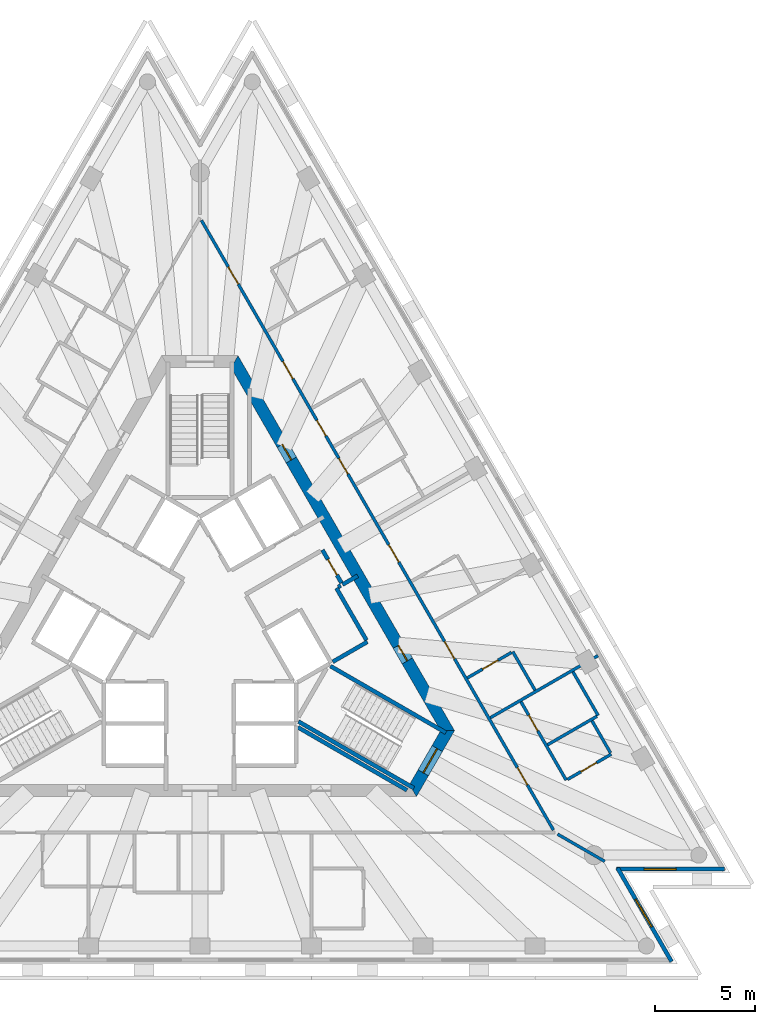
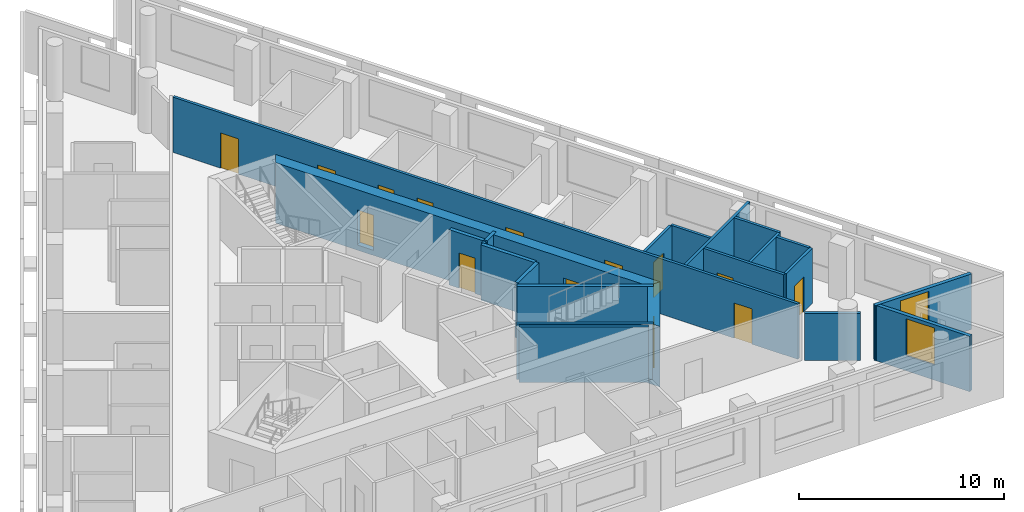
# One storey, part 6 of 10: 22 walls, 14 doors, 2 windows, 16 openings.
"""IFC4 building model written with IfcOpenShell, lengths in metres."""

from ifc_helpers import new_model, si_unit, direction, frame, frame_2d, origin, place, context, subcontext, project, spatial, polyline, rectangle, outline, extrude, material, layer, layer_set, layer_usage, type_object, element, fill, save


model = new_model("IFC4")

# Units and contexts
model_context = context("Model", 3, precision=1e-05, world=origin(), true_north=direction((0.0, 1.0)))
body_context = subcontext(model_context, "Body", "Model", "MODEL_VIEW")
ifc_project = project(units=[si_unit("LENGTHUNIT", "METRE"), si_unit("AREAUNIT", "SQUARE_METRE"), si_unit("VOLUMEUNIT", "CUBIC_METRE"), si_unit("PLANEANGLEUNIT", "RADIAN"), si_unit("MASSUNIT", "GRAM", prefix="KILO")], contexts=[model_context])

# Site, building, storey
site_placement = place(None, origin())
site = spatial("IfcSite", under=ifc_project, at=site_placement, CompositionType="ELEMENT")
building_placement = place(site_placement, origin())
building = spatial("IfcBuilding", under=site, at=building_placement, Name="Triada Interchange Tower", CompositionType="ELEMENT")
storey_placement = place(building_placement, frame((0.0, 0.0, 275.5)))
storey = spatial("IfcBuildingStorey", under=building, at=storey_placement, Name="L64", CompositionType="ELEMENT", Elevation=275.5)

# Wall
ifc_material_1 = material(Name="Concrete C30/37", Category="concrete")
ifc_layer_1 = layer(ifc_material_1, 0.199951171875)
ifc_layer_set_1 = layer_set([ifc_layer_1], Name="CORE WALL 200 EI 120")
wall_type_1 = type_object("IfcWallType", Name="CORE WALL 200 EI 120", PredefinedType="SOLIDWALL", material=ifc_layer_set_1)
wall_1_placement = place(storey_placement, frame((7.12890625, 2.153076171875, 0.0), z_axis=(0.0, 0.0, 1.0), x_axis=(0.866083962871, 0.499898558967, 0.0)))
element("IfcWall", 1, at=wall_1_placement, inside=storey, type_object=wall_type_1, Name="Wall L62 87", PredefinedType="SOLIDWALL", context=body_context, shape_type="SweptSolid", body=[
    extrude(rectangle(XDim=0.880126953125, YDim=0.199951171875, at=frame_2d((0.43994140625, 0.0))), origin(), (0.0, 0.0, 1.0), 3.300048828125),
])

# Wall, opening, door
wall_2_placement = place(storey_placement, frame((6.12890625, 3.885009765625, 0.0), z_axis=(0.0, 0.0, 1.0), x_axis=(0.499952260202, -0.866052964615, 0.0)))
wall_2 = element("IfcWall", 2, at=wall_2_placement, inside=storey, type_object=wall_type_1, Name="Wall L62 88", PredefinedType="SOLIDWALL", context=body_context, shape_type="SweptSolid", body=[
    extrude(rectangle(XDim=1.900634765625, YDim=0.199951171875, at=frame_2d((0.9501953125, 0.0))), origin(), (0.0, 0.0, 1.0), 3.300048828125),
])
opening_1_placement = place(wall_2_placement, frame((0.550048828125, 0.0, 0.0)))
opening_1 = element("IfcOpeningElement", 3, at=opening_1_placement, cuts=wall_2, Name="Opening D62-58", PredefinedType="OPENING", context=body_context, shape_type="SweptSolid", body=[
    extrude(rectangle(XDim=0.89990234375, YDim=2.10009765625, at=frame_2d((0.449951171875, 1.050048828125))), frame((0.0, 0.10986328125, 0.0), z_axis=(0.0, -1.0, 0.0), x_axis=(1.0, 0.0, 0.0)), (0.0, 0.0, 1.0), 0.219970703125),
])
ifc_material_2 = material(Name="Steel S235 door leaf", Category="steel")
door_type_1 = type_object("IfcDoorType", Name="SERVICE DOOR 900 EI2 45-C5S200", OperationType="NOTDEFINED", PredefinedType="DOOR", material=ifc_material_2)
door_1_placement = place(opening_1_placement, origin())
door_1 = element("IfcDoor", 4, at=door_1_placement, inside=storey, type_object=door_type_1, Name="Door D62-58 L64", OperationType="SINGLE_SWING_LEFT", OverallHeight=2.10009765625, OverallWidth=0.89990234375, PredefinedType="DOOR", context=body_context, shape_type="SweptSolid", body=[
    extrude(rectangle(XDim=0.89990234375, YDim=2.10009765625, at=frame_2d((0.449951171875, 1.050048828125))), frame((0.0, 0.02490234375, 0.0), z_axis=(0.0, -1.0, 0.0), x_axis=(1.0, 0.0, 0.0)), (0.0, 0.0, 1.0), 0.050048828125),
])
fill(opening_1, door_1)

# Walls
ifc_layer_2 = layer(ifc_material_1, 0.199951171875)
ifc_layer_set_2 = layer_set([ifc_layer_2], Name="CORE WALL 200 EI 90")
wall_type_2 = type_object("IfcWallType", Name="CORE WALL 200 EI 90", PredefinedType="SOLIDWALL", material=ifc_layer_set_2)
wall_3_placement = place(storey_placement, frame((4.89990234375, -4.97998046875, 0.0), z_axis=(0.0, 0.0, 1.0), x_axis=(0.866074613031, -0.499914757397, 0.0)))
element("IfcWall", 5, at=wall_3_placement, inside=storey, type_object=wall_type_2, Name="Wall L62 108", PredefinedType="SOLIDWALL", context=body_context, shape_type="SweptSolid", body=[
    extrude(rectangle(XDim=6.30078125, YDim=0.199951171875, at=frame_2d((3.150390625, 0.0))), origin(), (0.0, 0.0, 1.0), 3.300048828125),
])
wall_4_placement = place(storey_placement, frame((6.64208984375, -1.7080078125, 0.0), z_axis=(0.0, 0.0, 1.0), x_axis=(0.866043441391, 0.499968756647, 0.0)))
element("IfcWall", 6, at=wall_4_placement, inside=storey, type_object=wall_type_2, Name="Wall L62 109", PredefinedType="SOLIDWALL", context=body_context, shape_type="SweptSolid", body=[
    extrude(rectangle(XDim=2.002197265625, YDim=0.199951171875, at=frame_2d((1.0009765625, 0.0))), origin(), (0.0, 0.0, 1.0), 3.300048828125),
])
wall_5_placement = place(storey_placement, frame((6.825927734375, 1.97802734375, 0.0), z_axis=(0.0, 0.0, 1.0), x_axis=(0.499990139034, -0.866031096941, 0.0)))
element("IfcWall", 7, at=wall_5_placement, inside=storey, type_object=wall_type_2, Name="Wall L62 110", PredefinedType="SOLIDWALL", context=body_context, shape_type="SweptSolid", body=[
    extrude(rectangle(XDim=3.0, YDim=0.199951171875, at=frame_2d((1.5, 0.0))), origin(), (0.0, 0.0, 1.0), 3.300048828125),
])
wall_6_placement = place(storey_placement, frame((6.912109375, 2.028076171875, 0.0), z_axis=(0.0, 0.0, 1.0), x_axis=(0.866559367082, 0.499074005857, 0.0)))
element("IfcWall", 8, at=wall_6_placement, inside=storey, type_object=wall_type_2, Name="Wall L62 111", PredefinedType="SOLIDWALL", context=body_context, shape_type="SweptSolid", body=[
    extrude(rectangle(XDim=0.152099609375, YDim=0.199951171875, at=frame_2d((0.076171875, 0.0))), origin(), (0.0, 0.0, 1.0), 3.300048828125),
])
ifc_layer_3 = layer(ifc_material_1, 0.199951171875)
ifc_layer_set_3 = layer_set([ifc_layer_3], Name="CORE WALL 200 REI 240")
wall_type_3 = type_object("IfcWallType", Name="CORE WALL 200 REI 240", PredefinedType="SOLIDWALL", material=ifc_layer_set_3)
wall_7_placement = place(storey_placement, frame((4.928955078125, -4.693115234375, 0.0), z_axis=(0.0, 0.0, 1.0), x_axis=(0.866005022404, -0.500035299925, 0.0)))
element("IfcWall", 9, at=wall_7_placement, inside=storey, type_object=wall_type_3, Name="Wall L62 118", PredefinedType="SOLIDWALL", context=body_context, shape_type="SweptSolid", body=[
    extrude(rectangle(XDim=6.6650390625, YDim=0.199951171875, at=frame_2d((3.33251953125, 0.0))), origin(), (0.0, 0.0, 1.0), 3.300048828125),
])
wall_8_placement = place(storey_placement, frame((6.529052734375, -1.922119140625, 0.0), z_axis=(0.0, 0.0, 1.0), x_axis=(0.866068467981, -0.499925403204, 0.0)))
element("IfcWall", 10, at=wall_8_placement, inside=storey, type_object=wall_type_3, Name="Wall L62 120", PredefinedType="SOLIDWALL", context=body_context, shape_type="SweptSolid", body=[
    extrude(rectangle(XDim=6.66455078125, YDim=0.199951171875, at=frame_2d((3.332275390625, 0.0))), origin(), (0.0, 0.0, 1.0), 3.300048828125),
])

# Wall, opening, door
ifc_material_3 = material(Name="Concrete C40/50", Category="concrete")
ifc_layer_4 = layer(ifc_material_3, 0.60009765625)
ifc_layer_set_4 = layer_set([ifc_layer_4], Name="Core wall D 600")
wall_type_4 = type_object("IfcWallType", Name="Core wall D 600", PredefinedType="SHEAR", material=ifc_layer_set_4)
wall_9_placement = place(storey_placement, frame((10.652099609375, -8.14990234375, -0.300048828125), z_axis=(0.0, 0.0, 1.0), x_axis=(0.49997462182, 0.866040055388, 0.0)))
wall_9 = element("IfcWall", 11, at=wall_9_placement, inside=storey, type_object=wall_type_4, Name="Core wall WD05 L64", PredefinedType="SHEAR", context=body_context, shape_type="SweptSolid", body=[
    extrude(outline(polyline([(-0.173095703125, -0.300048828125), (1.732421875, -0.300537109375), (3.637939453125, -0.301025390625), (3.291015625, 0.300048828125), (1.73193359375, 0.300048828125), (0.173095703125, 0.300048828125), (-0.173095703125, -0.300048828125)])), origin(), (0.0, 0.0, 1.0), 3.60009765625),
])
opening_2_placement = place(wall_9_placement, frame((1.031982421875, 0.0, 0.300048828125)))
opening_2 = element("IfcOpeningElement", 12, at=opening_2_placement, cuts=wall_9, Name="Opening D62-50", PredefinedType="OPENING", context=body_context, shape_type="SweptSolid", body=[
    extrude(rectangle(XDim=1.39990234375, YDim=2.10009765625, at=frame_2d((0.699951171875, 1.050048828125))), frame((0.0, 0.31005859375, 0.0), z_axis=(0.0, -1.0, 0.0), x_axis=(1.0, 0.0, 0.0)), (0.0, 0.0, 1.0), 0.62109375),
])
door_type_2 = type_object("IfcDoorType", Name="STAIR DOOR 1400 EI2 90-C5S200", OperationType="DOUBLE_DOOR_SINGLE_SWING", PredefinedType="DOOR", material=ifc_material_2)
door_2_placement = place(opening_2_placement, origin())
door_2 = element("IfcDoor", 13, at=door_2_placement, inside=storey, type_object=door_type_2, Name="Door D62-50 L64", OperationType="DOUBLE_DOOR_SINGLE_SWING", OverallHeight=2.10009765625, OverallWidth=1.39990234375, PredefinedType="DOOR", context=body_context, shape_type="SweptSolid", body=[
    extrude(rectangle(XDim=1.39990234375, YDim=2.10009765625, at=frame_2d((0.699951171875, 1.050048828125))), frame((0.0, 0.02490234375, 0.0), z_axis=(0.0, -1.0, 0.0), x_axis=(1.0, 0.0, 0.0)), (0.0, 0.0, 1.0), 0.050048828125),
])
fill(opening_2, door_2)

# Wall, openings, doors
wall_10_placement = place(storey_placement, frame((12.384033203125, -5.14990234375, -0.300048828125), z_axis=(0.0, 0.0, 1.0), x_axis=(-0.500000539815, 0.866025092122, 0.0)))
wall_10 = element("IfcWall", 14, at=wall_10_placement, inside=storey, type_object=wall_type_4, Name="Core wall WD06 L64", PredefinedType="SHEAR", context=body_context, shape_type="SweptSolid", body=[
    extrude(outline(polyline([(-0.173095703125, -0.301025390625), (1.795166015625, -0.301025390625), (3.76318359375, -0.30078125), (5.7314453125, -0.30078125), (7.69970703125, -0.30078125), (9.66796875, -0.300537109375), (11.635986328125, -0.300537109375), (13.604248046875, -0.30029296875), (15.572509765625, -0.30029296875), (17.540771484375, -0.30029296875), (19.5087890625, -0.300048828125), (21.47705078125, -0.300048828125), (21.131103515625, 0.300048828125), (19.225830078125, 0.300048828125), (17.320556640625, 0.300048828125), (15.415283203125, 0.300048828125), (13.510009765625, 0.300048828125), (11.604736328125, 0.300048828125), (9.699462890625, 0.300048828125), (7.794189453125, 0.300048828125), (5.888916015625, 0.300048828125), (3.983642578125, 0.300048828125), (2.078369140625, 0.300048828125), (0.173095703125, 0.300048828125), (-0.173095703125, -0.301025390625)])), origin(), (0.0, 0.0, 1.0), 3.60009765625),
])
opening_3_placement = place(wall_10_placement, frame((15.626953125, 0.0, 0.300048828125)))
opening_3 = element("IfcOpeningElement", 15, at=opening_3_placement, cuts=wall_10, Name="Opening D62-55", PredefinedType="OPENING", context=body_context, shape_type="SweptSolid", body=[
    extrude(rectangle(XDim=0.89990234375, YDim=2.10009765625, at=frame_2d((0.449951171875, 1.050048828125))), frame((0.0, 0.31005859375, 0.0), z_axis=(0.0, -1.0, 0.0), x_axis=(1.0, 0.0, 0.0)), (0.0, 0.0, 1.0), 0.62109375),
])
opening_4_placement = place(wall_10_placement, frame((4.02587890625, 0.0, 0.300048828125)))
opening_4 = element("IfcOpeningElement", 16, at=opening_4_placement, cuts=wall_10, Name="Opening D62-57", PredefinedType="OPENING", context=body_context, shape_type="SweptSolid", body=[
    extrude(rectangle(XDim=0.89990234375, YDim=2.10009765625, at=frame_2d((0.449951171875, 1.050048828125))), frame((0.0, 0.31005859375, 0.0), z_axis=(0.0, -1.0, 0.0), x_axis=(1.0, 0.0, 0.0)), (0.0, 0.0, 1.0), 0.62109375),
])
door_type_3 = type_object("IfcDoorType", Name="RISER ACCESS DOOR 900 EI2 45-C5S200", OperationType="NOTDEFINED", PredefinedType="DOOR", material=ifc_material_2)
door_3_placement = place(opening_3_placement, origin())
door_3 = element("IfcDoor", 17, at=door_3_placement, inside=storey, type_object=door_type_3, Name="Door D62-55 L64", OperationType="SINGLE_SWING_RIGHT", OverallHeight=2.10009765625, OverallWidth=0.89990234375, PredefinedType="DOOR", context=body_context, shape_type="SweptSolid", body=[
    extrude(rectangle(XDim=0.89990234375, YDim=2.10009765625, at=frame_2d((0.449951171875, 1.050048828125))), frame((0.0, 0.02490234375, 0.0), z_axis=(0.0, -1.0, 0.0), x_axis=(1.0, 0.0, 0.0)), (0.0, 0.0, 1.0), 0.050048828125),
])
fill(opening_3, door_3)
door_4_placement = place(opening_4_placement, origin())
door_4 = element("IfcDoor", 18, at=door_4_placement, inside=storey, type_object=door_type_1, Name="Door D62-57 L64", OperationType="SINGLE_SWING_RIGHT", OverallHeight=2.10009765625, OverallWidth=0.89990234375, PredefinedType="DOOR", context=body_context, shape_type="SweptSolid", body=[
    extrude(rectangle(XDim=0.89990234375, YDim=2.10009765625, at=frame_2d((0.449951171875, 1.050048828125))), frame((0.0, 0.02490234375, 0.0), z_axis=(0.0, -1.0, 0.0), x_axis=(1.0, 0.0, 0.0)), (0.0, 0.0, 1.0), 0.050048828125),
])
fill(opening_4, door_4)

# Wall, opening, window
ifc_material_4 = material(Name="Cement board")
ifc_layer_5 = layer(ifc_material_4, 0.02001953125, Name="Cement board cladding")
ifc_material_5 = material(Name="Sheathing board")
ifc_layer_6 = layer(ifc_material_5, 0.014892578125, Name="Sheathing board")
ifc_material_6 = material(Name="Mineral wool")
ifc_layer_7 = layer(ifc_material_6, 0.14990234375, Name="Mineral wool between steel studs")
ifc_material_7 = material(Name="Gypsum board")
ifc_layer_8 = layer(ifc_material_7, 0.014892578125, Name="Plasterboard lining")
ifc_layer_set_5 = layer_set([ifc_layer_5, ifc_layer_6, ifc_layer_7, ifc_layer_8], Name="External wall 200")
ifc_layer_usage = layer_usage(ifc_layer_set_5, "AXIS2", "POSITIVE", -0.10009765625)
wall_type_5 = type_object("IfcWallType", Name="External wall 200", PredefinedType="ELEMENTEDWALL", material=ifc_layer_set_5)
wall_11_placement = place(storey_placement, frame((23.583984375, -16.695068359375, 0.0), z_axis=(0.0, 0.0, 1.0), x_axis=(-0.499972735707, 0.866041144259, 0.0)))
wall_11 = element("IfcWall", 19, at=wall_11_placement, inside=storey, type_object=wall_type_5, material=ifc_layer_usage, Name="External wall L64 SE-1", PredefinedType="ELEMENTEDWALL", context=body_context, shape_type="SweptSolid", body=[
    extrude(rectangle(XDim=5.404052734375, YDim=0.199951171875, at=frame_2d((2.7021484375, 0.0))), origin(), (0.0, 0.0, 1.0), 3.300048828125),
])
opening_5_placement = place(wall_11_placement, frame((1.989990234375, 0.0, 0.89990234375)))
opening_5 = element("IfcOpeningElement", 20, at=opening_5_placement, cuts=wall_11, Name="Opening WD19", PredefinedType="OPENING", context=body_context, shape_type="SweptSolid", body=[
    extrude(rectangle(XDim=1.60009765625, YDim=2.199951171875, at=frame_2d((0.800048828125, 1.10009765625))), frame((0.0, 0.10986328125, 0.0), z_axis=(0.0, -1.0, 0.0), x_axis=(1.0, 0.0, 0.0)), (0.0, 0.0, 1.0), 0.219970703125),
])
ifc_material_8 = material(Name="Double glazed aluminium window", Category="aluminium")
window_type = type_object("IfcWindowType", Name="Ribbon window D pocket", PartitioningType="SINGLE_PANEL", PredefinedType="WINDOW", material=ifc_material_8)
window_1_placement = place(opening_5_placement, origin())
window_1 = element("IfcWindow", 21, at=window_1_placement, inside=storey, type_object=window_type, Name="Window L64 SE-1 1", OverallHeight=2.199951171875, OverallWidth=1.60009765625, PartitioningType="SINGLE_PANEL", PredefinedType="WINDOW", context=body_context, shape_type="SweptSolid", body=[
    extrude(rectangle(XDim=1.60009765625, YDim=2.199951171875, at=frame_2d((0.800048828125, 1.10009765625))), frame((0.0, 0.030029296875, 0.0), z_axis=(0.0, -1.0, 0.0), x_axis=(1.0, 0.0, 0.0)), (0.0, 0.0, 1.0), 0.06005859375),
])
fill(opening_5, window_1)

wall_12_placement = place(storey_placement, frame((20.826904296875, -12.075927734375, 0.0), z_axis=(0.0, 0.0, 1.0), x_axis=(1.0, 0.0, 0.0)))
wall_12 = element("IfcWall", 22, at=wall_12_placement, inside=storey, type_object=wall_type_5, material=ifc_layer_usage, Name="External wall L64 SE-2", PredefinedType="ELEMENTEDWALL", context=body_context, shape_type="SweptSolid", body=[
    extrude(rectangle(XDim=5.403076171875, YDim=0.199951171875, at=frame_2d((2.70166015625, 0.0))), origin(), (0.0, 0.0, 1.0), 3.300048828125),
])
opening_6_placement = place(wall_12_placement, frame((1.389892578125, 0.0, 0.89990234375)))
opening_6 = element("IfcOpeningElement", 23, at=opening_6_placement, cuts=wall_12, Name="Opening WD20", PredefinedType="OPENING", context=body_context, shape_type="SweptSolid", body=[
    extrude(rectangle(XDim=1.60009765625, YDim=2.199951171875, at=frame_2d((0.800048828125, 1.10009765625))), frame((0.0, 0.10986328125, 0.0), z_axis=(0.0, -1.0, 0.0), x_axis=(1.0, 0.0, 0.0)), (0.0, 0.0, 1.0), 0.219970703125),
])
window_2_placement = place(opening_6_placement, origin())
window_2 = element("IfcWindow", 24, at=window_2_placement, inside=storey, type_object=window_type, Name="Window L64 SE-2 1", OverallHeight=2.199951171875, OverallWidth=1.60009765625, PartitioningType="SINGLE_PANEL", PredefinedType="WINDOW", context=body_context, shape_type="SweptSolid", body=[
    extrude(rectangle(XDim=1.60009765625, YDim=2.199951171875, at=frame_2d((0.800048828125, 1.10009765625))), frame((0.0, 0.030029296875, 0.0), z_axis=(0.0, -1.0, 0.0), x_axis=(1.0, 0.0, 0.0)), (0.0, 0.0, 1.0), 0.06005859375),
])
fill(opening_6, window_2)

# Wall
ifc_material_9 = material(Name="Gypsum board partition")
ifc_layer_9 = layer(ifc_material_9, 0.14990234375)
ifc_layer_set_6 = layer_set([ifc_layer_9], Name="PARTITION 150 EI 180")
wall_type_6 = type_object("IfcWallType", Name="PARTITION 150 EI 180", PredefinedType="PARTITIONING", material=ifc_layer_set_6)
wall_13_placement = place(storey_placement, frame((17.883056640625, -10.323974609375, 0.0), z_axis=(0.0, 0.0, 1.0), x_axis=(0.865910811146, -0.500198427768, 0.0)))
element("IfcWall", 25, at=wall_13_placement, inside=storey, type_object=wall_type_6, Name="Wall L62 8", PredefinedType="PARTITIONING", context=body_context, shape_type="SweptSolid", body=[
    extrude(rectangle(XDim=2.72314453125, YDim=0.14990234375, at=frame_2d((1.361572265625, 0.0))), origin(), (0.0, 0.0, 1.0), 2.800048828125),
])

# Wall, openings, doors
wall_14_placement = place(storey_placement, frame((0.074951171875, 20.3701171875, 0.0), z_axis=(0.0, 0.0, 1.0), x_axis=(0.499988971979, -0.866031770721, 0.0)))
wall_14 = element("IfcWall", 26, at=wall_14_placement, inside=storey, type_object=wall_type_6, Name="Wall L62 22", PredefinedType="PARTITIONING", context=body_context, shape_type="SweptSolid", body=[
    extrude(rectangle(XDim=35.206787109375, YDim=0.14990234375, at=frame_2d((17.603515625, 0.0))), origin(), (0.0, 0.0, 1.0), 3.300048828125),
])
opening_7_placement = place(wall_14_placement, frame((31.60595703125, 0.0, 0.0)))
opening_7 = element("IfcOpeningElement", 27, at=opening_7_placement, cuts=wall_14, Name="Opening D62-21", PredefinedType="OPENING", context=body_context, shape_type="SweptSolid", body=[
    extrude(rectangle(XDim=1.0, YDim=2.10009765625, at=frame_2d((0.5, 1.050048828125))), frame((0.0, 0.0849609375, 0.0), z_axis=(0.0, -1.0, 0.0), x_axis=(1.0, 0.0, 0.0)), (0.0, 0.0, 1.0), 0.169921875),
])
opening_8_placement = place(wall_14_placement, frame((24.31591796875, 0.0, 0.0)))
opening_8 = element("IfcOpeningElement", 28, at=opening_8_placement, cuts=wall_14, Name="Opening D62-24", PredefinedType="OPENING", context=body_context, shape_type="SweptSolid", body=[
    extrude(rectangle(XDim=1.0, YDim=2.10009765625, at=frame_2d((0.5, 1.050048828125))), frame((0.0, 0.0849609375, 0.0), z_axis=(0.0, -1.0, 0.0), x_axis=(1.0, 0.0, 0.0)), (0.0, 0.0, 1.0), 0.169921875),
])
opening_9_placement = place(wall_14_placement, frame((18.735107421875, 0.0, 0.0)))
opening_9 = element("IfcOpeningElement", 29, at=opening_9_placement, cuts=wall_14, Name="Opening D62-26", PredefinedType="OPENING", context=body_context, shape_type="SweptSolid", body=[
    extrude(rectangle(XDim=1.0, YDim=2.10009765625, at=frame_2d((0.5, 1.050048828125))), frame((0.0, 0.0849609375, 0.0), z_axis=(0.0, -1.0, 0.0), x_axis=(1.0, 0.0, 0.0)), (0.0, 0.0, 1.0), 0.169921875),
])
opening_10_placement = place(wall_14_placement, frame((8.154052734375, 0.0, 0.0)))
opening_10 = element("IfcOpeningElement", 30, at=opening_10_placement, cuts=wall_14, Name="Opening D62-28", PredefinedType="OPENING", context=body_context, shape_type="SweptSolid", body=[
    extrude(rectangle(XDim=1.0, YDim=2.10009765625, at=frame_2d((0.5, 1.050048828125))), frame((0.0, 0.0849609375, 0.0), z_axis=(0.0, -1.0, 0.0), x_axis=(1.0, 0.0, 0.0)), (0.0, 0.0, 1.0), 0.169921875),
])
opening_11_placement = place(wall_14_placement, frame((13.75390625, 0.0, 0.0)))
opening_11 = element("IfcOpeningElement", 31, at=opening_11_placement, cuts=wall_14, Name="Opening D62-30", PredefinedType="OPENING", context=body_context, shape_type="SweptSolid", body=[
    extrude(rectangle(XDim=0.89990234375, YDim=2.10009765625, at=frame_2d((0.449951171875, 1.050048828125))), frame((0.0, 0.0849609375, 0.0), z_axis=(0.0, -1.0, 0.0), x_axis=(1.0, 0.0, 0.0)), (0.0, 0.0, 1.0), 0.169921875),
])
opening_12_placement = place(wall_14_placement, frame((11.553955078125, 0.0, 0.0)))
opening_12 = element("IfcOpeningElement", 32, at=opening_12_placement, cuts=wall_14, Name="Opening D62-31", PredefinedType="OPENING", context=body_context, shape_type="SweptSolid", body=[
    extrude(rectangle(XDim=0.89990234375, YDim=2.10009765625, at=frame_2d((0.449951171875, 1.050048828125))), frame((0.0, 0.0849609375, 0.0), z_axis=(0.0, -1.0, 0.0), x_axis=(1.0, 0.0, 0.0)), (0.0, 0.0, 1.0), 0.169921875),
])
opening_13_placement = place(wall_14_placement, frame((2.68994140625, 0.0, 0.0)))
opening_13 = element("IfcOpeningElement", 33, at=opening_13_placement, cuts=wall_14, Name="Opening D62-32", PredefinedType="OPENING", context=body_context, shape_type="SweptSolid", body=[
    extrude(rectangle(XDim=1.0, YDim=2.10009765625, at=frame_2d((0.5, 1.050048828125))), frame((0.0, 0.0849609375, 0.0), z_axis=(0.0, -1.0, 0.0), x_axis=(1.0, 0.0, 0.0)), (0.0, 0.0, 1.0), 0.169921875),
])
door_type_4 = type_object("IfcDoorType", Name="GUEST ROOM DOOR 1000 EI2 90-C5S200", OperationType="NOTDEFINED", PredefinedType="DOOR", material=ifc_material_2)
door_5_placement = place(opening_7_placement, origin())
door_5 = element("IfcDoor", 34, at=door_5_placement, inside=storey, type_object=door_type_4, Name="Door D62-21 L64", OperationType="SINGLE_SWING_RIGHT", OverallHeight=2.10009765625, OverallWidth=1.0, PredefinedType="DOOR", context=body_context, shape_type="SweptSolid", body=[
    extrude(rectangle(XDim=1.0, YDim=2.10009765625, at=frame_2d((0.5, 1.050048828125))), frame((0.0, 0.02490234375, 0.0), z_axis=(0.0, -1.0, 0.0), x_axis=(1.0, 0.0, 0.0)), (0.0, 0.0, 1.0), 0.050048828125),
])
fill(opening_7, door_5)
door_6_placement = place(opening_8_placement, origin())
door_6 = element("IfcDoor", 35, at=door_6_placement, inside=storey, type_object=door_type_4, Name="Door D62-24 L64", OperationType="SINGLE_SWING_RIGHT", OverallHeight=2.10009765625, OverallWidth=1.0, PredefinedType="DOOR", context=body_context, shape_type="SweptSolid", body=[
    extrude(rectangle(XDim=1.0, YDim=2.10009765625, at=frame_2d((0.5, 1.050048828125))), frame((0.0, 0.02490234375, 0.0), z_axis=(0.0, -1.0, 0.0), x_axis=(1.0, 0.0, 0.0)), (0.0, 0.0, 1.0), 0.050048828125),
])
fill(opening_8, door_6)
door_7_placement = place(opening_9_placement, origin())
door_7 = element("IfcDoor", 36, at=door_7_placement, inside=storey, type_object=door_type_4, Name="Door D62-26 L64", OperationType="SINGLE_SWING_RIGHT", OverallHeight=2.10009765625, OverallWidth=1.0, PredefinedType="DOOR", context=body_context, shape_type="SweptSolid", body=[
    extrude(rectangle(XDim=1.0, YDim=2.10009765625, at=frame_2d((0.5, 1.050048828125))), frame((0.0, 0.02490234375, 0.0), z_axis=(0.0, -1.0, 0.0), x_axis=(1.0, 0.0, 0.0)), (0.0, 0.0, 1.0), 0.050048828125),
])
fill(opening_9, door_7)
door_8_placement = place(opening_10_placement, origin())
door_8 = element("IfcDoor", 37, at=door_8_placement, inside=storey, type_object=door_type_4, Name="Door D62-28 L64", OperationType="SINGLE_SWING_RIGHT", OverallHeight=2.10009765625, OverallWidth=1.0, PredefinedType="DOOR", context=body_context, shape_type="SweptSolid", body=[
    extrude(rectangle(XDim=1.0, YDim=2.10009765625, at=frame_2d((0.5, 1.050048828125))), frame((0.0, 0.02490234375, 0.0), z_axis=(0.0, -1.0, 0.0), x_axis=(1.0, 0.0, 0.0)), (0.0, 0.0, 1.0), 0.050048828125),
])
fill(opening_10, door_8)
door_9_placement = place(opening_13_placement, origin())
door_9 = element("IfcDoor", 38, at=door_9_placement, inside=storey, type_object=door_type_4, Name="Door D62-32 L64", OperationType="SINGLE_SWING_LEFT", OverallHeight=2.10009765625, OverallWidth=1.0, PredefinedType="DOOR", context=body_context, shape_type="SweptSolid", body=[
    extrude(rectangle(XDim=1.0, YDim=2.10009765625, at=frame_2d((0.5, 1.050048828125))), frame((0.0, 0.02490234375, 0.0), z_axis=(0.0, -1.0, 0.0), x_axis=(1.0, 0.0, 0.0)), (0.0, 0.0, 1.0), 0.050048828125),
])
fill(opening_13, door_9)
door_type_5 = type_object("IfcDoorType", Name="ROOM DOOR 900 EI2 90-C5S200", OperationType="NOTDEFINED", PredefinedType="DOOR", material=ifc_material_2)
door_10_placement = place(opening_12_placement, origin())
door_10 = element("IfcDoor", 39, at=door_10_placement, inside=storey, type_object=door_type_5, Name="Door D62-31 L64", OperationType="SINGLE_SWING_LEFT", OverallHeight=2.10009765625, OverallWidth=0.89990234375, PredefinedType="DOOR", context=body_context, shape_type="SweptSolid", body=[
    extrude(rectangle(XDim=0.89990234375, YDim=2.10009765625, at=frame_2d((0.449951171875, 1.050048828125))), frame((0.0, 0.02490234375, 0.0), z_axis=(0.0, -1.0, 0.0), x_axis=(1.0, 0.0, 0.0)), (0.0, 0.0, 1.0), 0.050048828125),
])
fill(opening_12, door_10)
door_type_6 = type_object("IfcDoorType", Name="SERVICE DOOR 900 EI2 90-C5S200", OperationType="NOTDEFINED", PredefinedType="DOOR", material=ifc_material_2)
door_11_placement = place(opening_11_placement, origin())
door_11 = element("IfcDoor", 40, at=door_11_placement, inside=storey, type_object=door_type_6, Name="Door D62-30 L64", OperationType="SINGLE_SWING_RIGHT", OverallHeight=2.10009765625, OverallWidth=0.89990234375, PredefinedType="DOOR", context=body_context, shape_type="SweptSolid", body=[
    extrude(rectangle(XDim=0.89990234375, YDim=2.10009765625, at=frame_2d((0.449951171875, 1.050048828125))), frame((0.0, 0.02490234375, 0.0), z_axis=(0.0, -1.0, 0.0), x_axis=(1.0, 0.0, 0.0)), (0.0, 0.0, 1.0), 0.050048828125),
])
fill(opening_11, door_11)

# Walls
wall_15_placement = place(storey_placement, frame((14.52294921875, -4.5048828125, 0.0), z_axis=(0.0, 0.0, 1.0), x_axis=(0.866043575568, 0.499968524226, 0.0)))
element("IfcWall", 41, at=wall_15_placement, inside=storey, type_object=wall_type_6, Name="Wall L62 30", PredefinedType="PARTITIONING", context=body_context, shape_type="SweptSolid", body=[
    extrude(rectangle(XDim=6.21240234375, YDim=0.14990234375, at=frame_2d((3.106201171875, 0.0))), origin(), (0.0, 0.0, 1.0), 3.300048828125),
])
ifc_layer_10 = layer(ifc_material_9, 0.14990234375)
ifc_layer_set_7 = layer_set([ifc_layer_10], Name="PARTITION 150 EI 90")
wall_type_7 = type_object("IfcWallType", Name="PARTITION 150 EI 90", PredefinedType="PARTITIONING", material=ifc_layer_set_7)
wall_16_placement = place(storey_placement, frame((18.653076171875, -2.20703125, 0.0), z_axis=(0.0, 0.0, 1.0), x_axis=(0.499789415832, -0.866146950478, 0.0)))
element("IfcWall", 42, at=wall_16_placement, inside=storey, type_object=wall_type_7, Name="Wall L62 53", PredefinedType="PARTITIONING", context=body_context, shape_type="SweptSolid", body=[
    extrude(rectangle(XDim=2.52490234375, YDim=0.14990234375, at=frame_2d((1.262451171875, 0.0))), origin(), (0.0, 0.0, 1.0), 3.300048828125),
])

# Wall, opening, door
wall_17_placement = place(storey_placement, frame((16.054931640625, -3.70703125, 0.0), z_axis=(0.0, 0.0, 1.0), x_axis=(0.499893710643, -0.866086761277, 0.0)))
wall_17 = element("IfcWall", 43, at=wall_17_placement, inside=storey, type_object=wall_type_7, Name="Wall L62 56", PredefinedType="PARTITIONING", context=body_context, shape_type="SweptSolid", body=[
    extrude(rectangle(XDim=4.52490234375, YDim=0.14990234375, at=frame_2d((2.262451171875, 0.0))), origin(), (0.0, 0.0, 1.0), 3.300048828125),
])
opening_14_placement = place(wall_17_placement, frame((0.77490234375, 0.0, 0.0)))
opening_14 = element("IfcOpeningElement", 44, at=opening_14_placement, cuts=wall_17, Name="Opening D62-22", PredefinedType="OPENING", context=body_context, shape_type="SweptSolid", body=[
    extrude(rectangle(XDim=0.89990234375, YDim=2.10009765625, at=frame_2d((0.449951171875, 1.050048828125))), frame((0.0, 0.0849609375, 0.0), z_axis=(0.0, -1.0, 0.0), x_axis=(1.0, 0.0, 0.0)), (0.0, 0.0, 1.0), 0.169921875),
])
door_type_7 = type_object("IfcDoorType", Name="ROOM DOOR 900 EI2 45-C5S200", OperationType="NOTDEFINED", PredefinedType="DOOR", material=ifc_material_2)
door_12_placement = place(opening_14_placement, origin())
door_12 = element("IfcDoor", 45, at=door_12_placement, inside=storey, type_object=door_type_7, Name="Door D62-22 L64", OperationType="SINGLE_SWING_LEFT", OverallHeight=2.10009765625, OverallWidth=0.89990234375, PredefinedType="DOOR", context=body_context, shape_type="SweptSolid", body=[
    extrude(rectangle(XDim=0.89990234375, YDim=2.10009765625, at=frame_2d((0.449951171875, 1.050048828125))), frame((0.0, 0.02490234375, 0.0), z_axis=(0.0, -1.0, 0.0), x_axis=(1.0, 0.0, 0.0)), (0.0, 0.0, 1.0), 0.050048828125),
])
fill(opening_14, door_12)

# Wall
wall_18_placement = place(storey_placement, frame((15.64697265625, -1.200927734375, 0.0), z_axis=(0.0, 0.0, 1.0), x_axis=(0.499833278392, -0.866121639155, 0.0)))
element("IfcWall", 46, at=wall_18_placement, inside=storey, type_object=wall_type_7, Name="Wall L62 60", PredefinedType="PARTITIONING", context=body_context, shape_type="SweptSolid", body=[
    extrude(rectangle(XDim=2.224853515625, YDim=0.14990234375, at=frame_2d((1.1123046875, 0.0))), origin(), (0.0, 0.0, 1.0), 3.300048828125),
])

# Wall, opening, door
wall_19_placement = place(storey_placement, frame((13.373046875, -2.512939453125, 0.0), z_axis=(0.0, 0.0, 1.0), x_axis=(0.866102706185, 0.499866084405, 0.0)))
wall_19 = element("IfcWall", 47, at=wall_19_placement, inside=storey, type_object=wall_type_7, Name="Wall L62 62", PredefinedType="PARTITIONING", context=body_context, shape_type="SweptSolid", body=[
    extrude(rectangle(XDim=2.550537109375, YDim=0.14990234375, at=frame_2d((1.275390625, 0.0))), origin(), (0.0, 0.0, 1.0), 3.300048828125),
])
opening_15_placement = place(wall_19_placement, frame((0.875, 0.0, 0.0)))
opening_15 = element("IfcOpeningElement", 48, at=opening_15_placement, cuts=wall_19, Name="Opening D62-25", PredefinedType="OPENING", context=body_context, shape_type="SweptSolid", body=[
    extrude(rectangle(XDim=0.89990234375, YDim=2.10009765625, at=frame_2d((0.449951171875, 1.050048828125))), frame((0.0, 0.0849609375, 0.0), z_axis=(0.0, -1.0, 0.0), x_axis=(1.0, 0.0, 0.0)), (0.0, 0.0, 1.0), 0.169921875),
])
door_13_placement = place(opening_15_placement, origin())
door_13 = element("IfcDoor", 49, at=door_13_placement, inside=storey, type_object=door_type_7, Name="Door D62-25 L64", OperationType="SINGLE_SWING_RIGHT", OverallHeight=2.10009765625, OverallWidth=0.89990234375, PredefinedType="DOOR", context=body_context, shape_type="SweptSolid", body=[
    extrude(rectangle(XDim=0.89990234375, YDim=2.10009765625, at=frame_2d((0.449951171875, 1.050048828125))), frame((0.0, 0.02490234375, 0.0), z_axis=(0.0, -1.0, 0.0), x_axis=(1.0, 0.0, 0.0)), (0.0, 0.0, 1.0), 0.050048828125),
])
fill(opening_15, door_13)

# Wall
wall_20_placement = place(storey_placement, frame((17.382080078125, -5.85693359375, 0.0), z_axis=(0.0, 0.0, 1.0), x_axis=(0.866004402611, 0.500036373335, 0.0)))
element("IfcWall", 50, at=wall_20_placement, inside=storey, type_object=wall_type_7, Name="Wall L62 63", PredefinedType="PARTITIONING", context=body_context, shape_type="SweptSolid", body=[
    extrude(rectangle(XDim=2.849853515625, YDim=0.14990234375, at=frame_2d((1.4248046875, 0.0))), origin(), (0.0, 0.0, 1.0), 3.300048828125),
])

# Wall, opening, door
wall_21_placement = place(storey_placement, frame((18.382080078125, -7.589111328125, 0.0), z_axis=(0.0, 0.0, 1.0), x_axis=(0.86593764446, 0.500151972811, 0.0)))
wall_21 = element("IfcWall", 51, at=wall_21_placement, inside=storey, type_object=wall_type_7, Name="Wall L62 64", PredefinedType="PARTITIONING", context=body_context, shape_type="SweptSolid", body=[
    extrude(rectangle(XDim=2.525634765625, YDim=0.14990234375, at=frame_2d((1.2626953125, 0.0))), origin(), (0.0, 0.0, 1.0), 3.300048828125),
])
opening_16_placement = place(wall_21_placement, frame((0.77490234375, 0.0, 0.0)))
opening_16 = element("IfcOpeningElement", 52, at=opening_16_placement, cuts=wall_21, Name="Opening D62-23", PredefinedType="OPENING", context=body_context, shape_type="SweptSolid", body=[
    extrude(rectangle(XDim=0.89990234375, YDim=2.10009765625, at=frame_2d((0.449951171875, 1.050048828125))), frame((0.0, 0.0849609375, 0.0), z_axis=(0.0, -1.0, 0.0), x_axis=(1.0, 0.0, 0.0)), (0.0, 0.0, 1.0), 0.169921875),
])
door_14_placement = place(opening_16_placement, origin())
door_14 = element("IfcDoor", 53, at=door_14_placement, inside=storey, type_object=door_type_1, Name="Door D62-23 L64", OperationType="SINGLE_SWING_LEFT", OverallHeight=2.10009765625, OverallWidth=0.89990234375, PredefinedType="DOOR", context=body_context, shape_type="SweptSolid", body=[
    extrude(rectangle(XDim=0.89990234375, YDim=2.10009765625, at=frame_2d((0.449951171875, 1.050048828125))), frame((0.0, 0.02490234375, 0.0), z_axis=(0.0, -1.0, 0.0), x_axis=(1.0, 0.0, 0.0)), (0.0, 0.0, 1.0), 0.050048828125),
])
fill(opening_16, door_14)

# Wall
wall_22_placement = place(storey_placement, frame((19.60595703125, -4.658935546875, 0.0), z_axis=(0.0, 0.0, 1.0), x_axis=(0.500042316284, -0.866000971088, 0.0)))
element("IfcWall", 54, at=wall_22_placement, inside=storey, type_object=wall_type_7, Name="Wall L62 65", PredefinedType="PARTITIONING", context=body_context, shape_type="SweptSolid", body=[
    extrude(rectangle(XDim=1.849853515625, YDim=0.14990234375, at=frame_2d((0.9248046875, 0.0))), origin(), (0.0, 0.0, 1.0), 3.300048828125),
])

save(model, "model.ifc")
